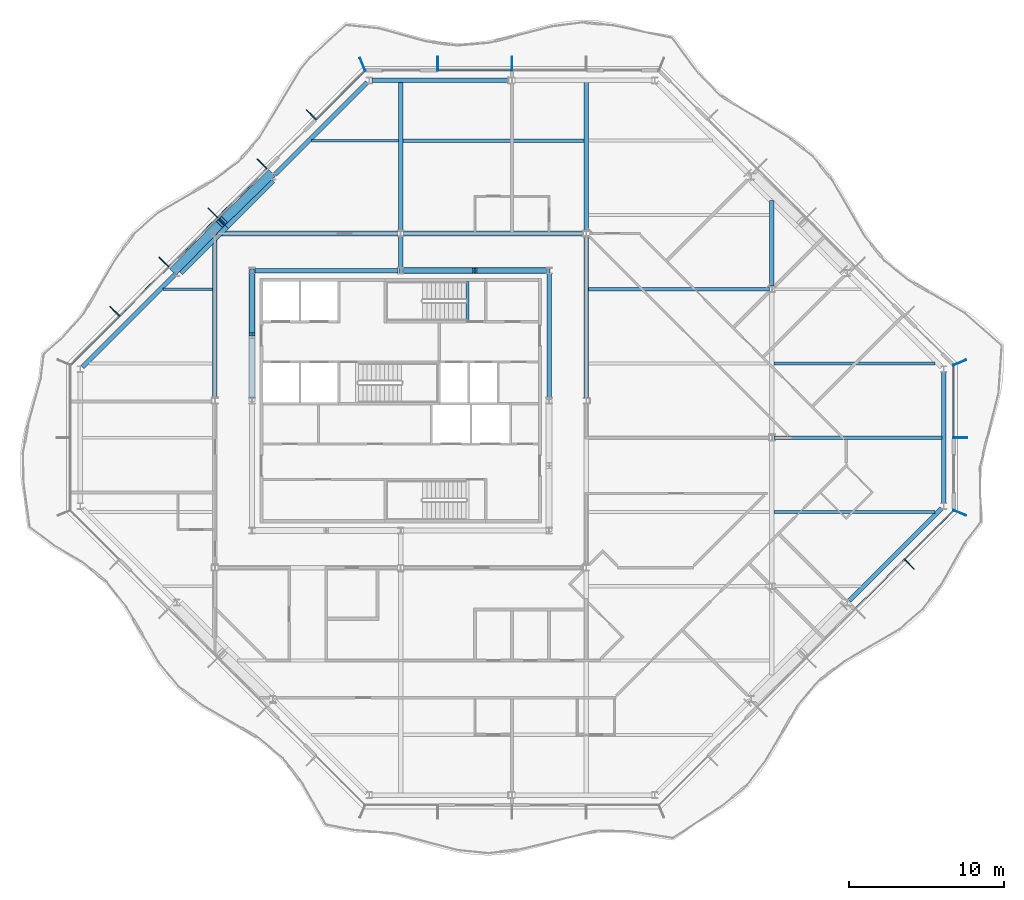
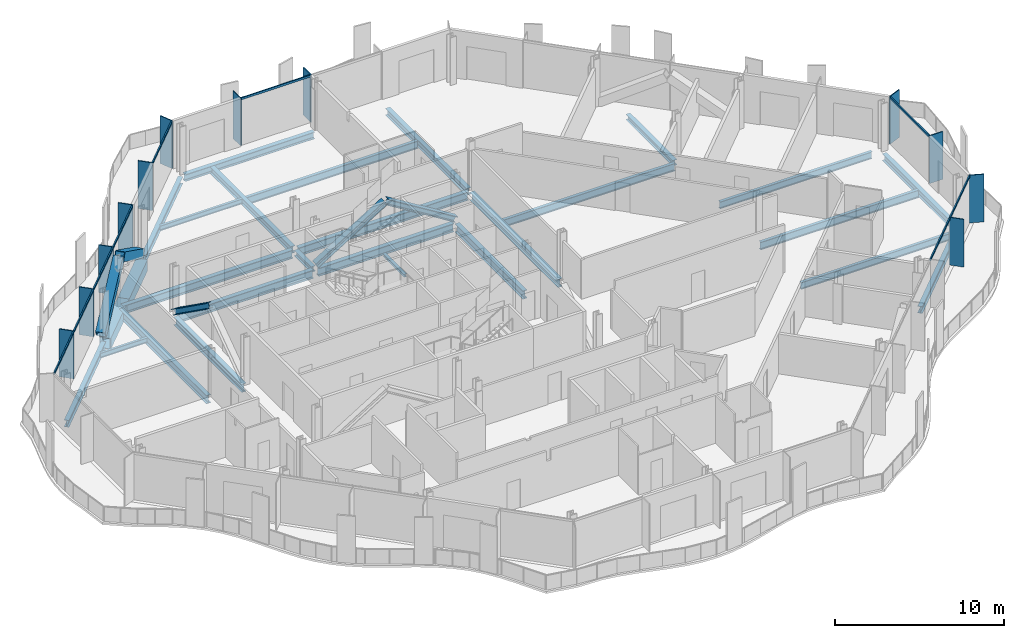
# One storey, part 4 of 17: 27 beams, 26 members, 5 elements without a shape of their own.
"""IFC4 building model written with IfcOpenShell, lengths in metres."""

from ifc_helpers import new_model, si_unit, direction, frame, origin, origin_2d, place, context, subcontext, project, spatial, rectangle, hollow_rectangle, i_section, extrude, material, material_profile, profile_set, type_object, element, aggregate, save


model = new_model("IFC4")

# Units and contexts
model_context = context("Model", 3, precision=1e-05, world=origin(), true_north=direction((0.0, 1.0)))
body_context = subcontext(model_context, "Body", "Model", "MODEL_VIEW")
ifc_project = project(units=[si_unit("LENGTHUNIT", "METRE"), si_unit("AREAUNIT", "SQUARE_METRE"), si_unit("VOLUMEUNIT", "CUBIC_METRE"), si_unit("PLANEANGLEUNIT", "RADIAN"), si_unit("MASSUNIT", "GRAM", prefix="KILO")], contexts=[model_context])

# Site, building, storey
site_placement = place(None, origin())
site = spatial("IfcSite", under=ifc_project, at=site_placement, CompositionType="ELEMENT")
building_placement = place(site_placement, origin())
building = spatial("IfcBuilding", under=site, at=building_placement, Name="Cairn Pilgrim Tower", CompositionType="ELEMENT")
storey_placement = place(building_placement, frame((0.0, 0.0, 214.199951171875)))
storey = spatial("IfcBuildingStorey", under=building, at=storey_placement, Name="L54", CompositionType="ELEMENT", Elevation=214.199951171875)

# Members
ifc_material_1 = material(Name="Structural steel S460M", Category="steel")
ifc_material_profile_1 = material_profile(ifc_material_1, hollow_rectangle(XDim=0.60009765625, YDim=0.60009765625, WallThickness=0.034912109375, at=origin_2d()), Name="BOX 600x600x35")
ifc_profile_set_1 = profile_set([ifc_material_profile_1], Name="Structural steel S460M")
member_type_1 = type_object("IfcMemberType", Name="BOX 600x600x35 BRACE", PredefinedType="BRACE", material=ifc_profile_set_1)
member_1_placement = place(storey_placement, frame((-1.22412109375, 17.00146484375, 0.150146484375), z_axis=(-0.609978743911, -0.59479597279, 0.523587321016), x_axis=(0.698140268834, -0.71596100804, 0.0)))
element("IfcMember", 1, at=member_1_placement, inside=storey, type_object=member_type_1, Name="XB-NW2-NW3-1", PredefinedType="BRACE", context=body_context, shape_type="SweptSolid", body=[
    extrude(hollow_rectangle(XDim=0.60009765625, YDim=0.60009765625, WallThickness=0.034912109375, at=origin_2d()), origin(), (0.0, 0.0, 1.0), 5.032958984375),
])
member_2_placement = place(storey_placement, frame((-7.4013671875, 10.823974609375, 0.150146484375), z_axis=(0.594778373814, 0.610009201523, 0.523571828979), x_axis=(-0.715988756584, 0.698111810848, 0.0)))
element("IfcMember", 2, at=member_2_placement, inside=storey, type_object=member_type_1, Name="XB-NW2-NW3-2", PredefinedType="BRACE", context=body_context, shape_type="SweptSolid", body=[
    extrude(hollow_rectangle(XDim=0.60009765625, YDim=0.60009765625, WallThickness=0.034912109375, at=origin_2d()), origin(), (0.0, 0.0, 1.0), 5.033203125),
])

# Beams
ifc_material_2 = material(Name="Structural steel S355J2", Category="steel")
ifc_material_profile_2 = material_profile(ifc_material_2, hollow_rectangle(XDim=0.699951171875, YDim=0.800048828125, WallThickness=0.0400390625, at=origin_2d()), Name="BOX 700x800x40")
ifc_profile_set_2 = profile_set([ifc_material_profile_2], Name="Structural steel S355J2")
beam_type_1 = type_object("IfcBeamType", Name="BOX 700x800x40 RING GIRDER", PredefinedType="SPANDREL", material=ifc_profile_set_2)
beam_1_placement = place(storey_placement, frame((-1.183837890625, 16.743408203125, -0.550048828125), z_axis=(-0.707106781187, -0.707106781187, 0.0), x_axis=(0.707106781187, -0.707106781187, 0.0)))
element("IfcBeam", 3, at=beam_1_placement, inside=storey, type_object=beam_type_1, Name="RG3-NW2-NW3-1", PredefinedType="SPANDREL", context=body_context, shape_type="SweptSolid", body=[
    extrude(hollow_rectangle(XDim=0.699951171875, YDim=0.800048828125, WallThickness=0.0400390625, at=origin_2d()), origin(), (0.0, 0.0, 1.0), 4.2138671875),
])
beam_2_placement = place(storey_placement, frame((-4.16357421875, 13.763671875, -0.550048828125), z_axis=(-0.707077813866, -0.707135747321, 0.0), x_axis=(0.707135747321, -0.707077813866, 0.0)))
element("IfcBeam", 4, at=beam_2_placement, inside=storey, type_object=beam_type_1, Name="RG3-NW2-NW3-2", PredefinedType="SPANDREL", context=body_context, shape_type="SweptSolid", body=[
    extrude(hollow_rectangle(XDim=0.699951171875, YDim=0.800048828125, WallThickness=0.0400390625, at=origin_2d()), origin(), (0.0, 0.0, 1.0), 4.214111328125),
])

# Curtain wall, member
ifc_material_3 = material(Name="Aluminium alloy 6063-T6 bronze anodised with Bronze tinted laminated low-E glass 8+16+8.8", Category="aluminium")
curtain_wall_type_1 = type_object("IfcCurtainWallType", Name="CHAMFER CORNER CURTAIN WALL", PredefinedType="NOTDEFINED", material=ifc_material_3)
curtain_wall_1_placement = place(storey_placement, origin())
curtain_wall_1 = element("IfcCurtainWall", 5, at=curtain_wall_1_placement, inside=storey, type_object=curtain_wall_type_1, Name="Chamfer Corner Curtain Wall SE", PredefinedType="NOTDEFINED")
ifc_material_4 = material(Name="Aluminium alloy 6063-T6 bronze anodised", Category="aluminium")
ifc_material_profile_3 = material_profile(ifc_material_4, rectangle(XDim=0.89990234375, YDim=0.06005859375, at=origin_2d()), Name="FIN MULLION 60x900 BRONZE")
ifc_profile_set_3 = profile_set([ifc_material_profile_3], Name="Aluminium alloy 6063-T6 bronze anodised")
member_type_2 = type_object("IfcMemberType", Name="FIN MULLION 60x900 BRONZE", PredefinedType="MULLION", material=ifc_profile_set_3)
member_3_placement = place(storey_placement, frame((40.0712890625, -8.1689453125, 0.0), z_axis=(0.0, 0.0, 1.0), x_axis=(0.707106781187, -0.707106781187, 0.0)))
member_3 = element("IfcMember", 6, at=member_3_placement, type_object=member_type_2, Name="Fin mullion SE6", PredefinedType="MULLION", context=body_context, shape_type="SweptSolid", body=[
    extrude(rectangle(XDim=0.89990234375, YDim=0.06005859375, at=origin_2d()), origin(), (0.0, 0.0, 1.0), 3.449951171875),
])

# Curtain wall, members
curtain_wall_type_2 = type_object("IfcCurtainWallType", Name="TOWER STICK CURTAIN WALL EW", PredefinedType="NOTDEFINED", material=ifc_material_3)
curtain_wall_2_placement = place(storey_placement, origin())
curtain_wall_2 = element("IfcCurtainWall", 7, at=curtain_wall_2_placement, inside=storey, type_object=curtain_wall_type_2, Name="Tower Stick Curtain Wall Ew E", PredefinedType="NOTDEFINED")
member_4_placement = place(storey_placement, frame((43.338134765625, -4.857177734375, 0.0), z_axis=(0.0, 0.0, 1.0), x_axis=(0.923879532511, -0.382683432365, 0.0)))
member_4 = element("IfcMember", 8, at=member_4_placement, type_object=member_type_2, Name="Fin mullion E1", PredefinedType="MULLION", context=body_context, shape_type="SweptSolid", body=[
    extrude(rectangle(XDim=0.89990234375, YDim=0.06005859375, at=origin_2d()), origin(), (0.0, 0.0, 1.0), 3.449951171875),
])
member_5_placement = place(storey_placement, frame((43.3701171875, 0.0, 0.0), z_axis=(0.0, 0.0, 1.0), x_axis=(1.0, 0.0, 0.0)))
member_5 = element("IfcMember", 9, at=member_5_placement, type_object=member_type_2, Name="Fin mullion E2", PredefinedType="MULLION", context=body_context, shape_type="SweptSolid", body=[
    extrude(rectangle(XDim=0.89990234375, YDim=0.06005859375, at=origin_2d()), origin(), (0.0, 0.0, 1.0), 3.449951171875),
])

# Curtain wall, member
curtain_wall_3_placement = place(storey_placement, origin())
curtain_wall_3 = element("IfcCurtainWall", 10, at=curtain_wall_3_placement, inside=storey, type_object=curtain_wall_type_1, Name="Chamfer Corner Curtain Wall NE", PredefinedType="NOTDEFINED")
member_6_placement = place(storey_placement, frame((43.338134765625, 4.857177734375, 0.0), z_axis=(0.0, 0.0, 1.0), x_axis=(0.923879532511, 0.382683432365, 0.0)))
member_6 = element("IfcMember", 11, at=member_6_placement, type_object=member_type_2, Name="Fin mullion NE1", PredefinedType="MULLION", context=body_context, shape_type="SweptSolid", body=[
    extrude(rectangle(XDim=0.89990234375, YDim=0.06005859375, at=origin_2d()), origin(), (0.0, 0.0, 1.0), 3.449951171875),
])
aggregate(curtain_wall_3, [member_6])

# Curtain wall, members
curtain_wall_type_3 = type_object("IfcCurtainWallType", Name="TOWER STICK CURTAIN WALL NS", PredefinedType="NOTDEFINED", material=ifc_material_3)
curtain_wall_4_placement = place(storey_placement, origin())
curtain_wall_4 = element("IfcCurtainWall", 12, at=curtain_wall_4_placement, inside=storey, type_object=curtain_wall_type_3, Name="Tower Stick Curtain Wall Ns N", PredefinedType="NOTDEFINED")
member_7_placement = place(storey_placement, frame((14.39990234375, 24.169921875, 0.0), z_axis=(0.0, 0.0, 1.0), x_axis=(0.0, 1.0, 0.0)))
member_7 = element("IfcMember", 13, at=member_7_placement, type_object=member_type_2, Name="Fin mullion N3", PredefinedType="MULLION", context=body_context, shape_type="SweptSolid", body=[
    extrude(rectangle(XDim=0.89990234375, YDim=0.06005859375, at=origin_2d()), origin(), (0.0, 0.0, 1.0), 3.449951171875),
])
member_8_placement = place(storey_placement, frame((9.60009765625, 24.169921875, 0.0), z_axis=(0.0, 0.0, 1.0), x_axis=(0.0, 1.0, 0.0)))
member_8 = element("IfcMember", 14, at=member_8_placement, type_object=member_type_2, Name="Fin mullion N4", PredefinedType="MULLION", context=body_context, shape_type="SweptSolid", body=[
    extrude(rectangle(XDim=0.89990234375, YDim=0.06005859375, at=origin_2d()), origin(), (0.0, 0.0, 1.0), 3.449951171875),
])

curtain_wall_5_placement = place(storey_placement, origin())
curtain_wall_5 = element("IfcCurtainWall", 15, at=curtain_wall_5_placement, inside=storey, type_object=curtain_wall_type_1, Name="Chamfer Corner Curtain Wall NW", PredefinedType="NOTDEFINED")
member_9_placement = place(storey_placement, frame((4.742919921875, 24.137939453125, 0.0), z_axis=(0.0, 0.0, 1.0), x_axis=(-0.382683432365, 0.923879532511, 0.0)))
member_9 = element("IfcMember", 16, at=member_9_placement, type_object=member_type_2, Name="Fin mullion NW1", PredefinedType="MULLION", context=body_context, shape_type="SweptSolid", body=[
    extrude(rectangle(XDim=0.89990234375, YDim=0.06005859375, at=origin_2d()), origin(), (0.0, 0.0, 1.0), 3.449951171875),
])
member_10_placement = place(storey_placement, frame((1.430908203125, 20.871337890625, 0.0), z_axis=(0.0, 0.0, 1.0), x_axis=(-0.707106781187, 0.707106781187, 0.0)))
member_10 = element("IfcMember", 17, at=member_10_placement, type_object=member_type_2, Name="Fin mullion NW2", PredefinedType="MULLION", context=body_context, shape_type="SweptSolid", body=[
    extrude(rectangle(XDim=0.89990234375, YDim=0.06005859375, at=origin_2d()), origin(), (0.0, 0.0, 1.0), 3.449951171875),
])
member_11_placement = place(storey_placement, frame((-1.74462890625, 17.69580078125, 0.0), z_axis=(0.0, 0.0, 1.0), x_axis=(-0.707106781187, 0.707106781187, 0.0)))
member_11 = element("IfcMember", 18, at=member_11_placement, type_object=member_type_2, Name="Fin mullion NW3", PredefinedType="MULLION", context=body_context, shape_type="SweptSolid", body=[
    extrude(rectangle(XDim=0.89990234375, YDim=0.06005859375, at=origin_2d()), origin(), (0.0, 0.0, 1.0), 3.449951171875),
])
member_12_placement = place(storey_placement, frame((-4.920166015625, 14.520263671875, 0.0), z_axis=(0.0, 0.0, 1.0), x_axis=(-0.707106781187, 0.707106781187, 0.0)))
member_12 = element("IfcMember", 19, at=member_12_placement, type_object=member_type_2, Name="Fin mullion NW4", PredefinedType="MULLION", context=body_context, shape_type="SweptSolid", body=[
    extrude(rectangle(XDim=0.89990234375, YDim=0.06005859375, at=origin_2d()), origin(), (0.0, 0.0, 1.0), 3.449951171875),
])
member_13_placement = place(storey_placement, frame((-8.095703125, 11.3447265625, 0.0), z_axis=(0.0, 0.0, 1.0), x_axis=(-0.707106781187, 0.707106781187, 0.0)))
member_13 = element("IfcMember", 20, at=member_13_placement, type_object=member_type_2, Name="Fin mullion NW5", PredefinedType="MULLION", context=body_context, shape_type="SweptSolid", body=[
    extrude(rectangle(XDim=0.89990234375, YDim=0.06005859375, at=origin_2d()), origin(), (0.0, 0.0, 1.0), 3.449951171875),
])
member_14_placement = place(storey_placement, frame((-11.271484375, 8.1689453125, 0.0), z_axis=(0.0, 0.0, 1.0), x_axis=(-0.707106781187, 0.707106781187, 0.0)))
member_14 = element("IfcMember", 21, at=member_14_placement, type_object=member_type_2, Name="Fin mullion NW6", PredefinedType="MULLION", context=body_context, shape_type="SweptSolid", body=[
    extrude(rectangle(XDim=0.89990234375, YDim=0.06005859375, at=origin_2d()), origin(), (0.0, 0.0, 1.0), 3.449951171875),
])

# Members
ifc_material_profile_4 = material_profile(ifc_material_2, i_section(OverallWidth=0.39794921875, OverallDepth=0.386962890625, WebThickness=0.02099609375, FlangeThickness=0.033203125, FilletRadius=0.014892578125, at=origin_2d()), Name="HD 400x262")
ifc_profile_set_4 = profile_set([ifc_material_profile_4], Name="Structural steel S355J2")
member_type_3 = type_object("IfcMemberType", Name="HD 400x262 BRACE", PredefinedType="BRACE", material=ifc_profile_set_4)
for number, where, z_axis, x_axis, name in (
    (22, (16.759521484375, 10.800048828125, 0.10009765625), (-0.851180404412, 0.0, 0.524873241025), (0.0, -1.0, 0.0), "KB-3A"),
    (23, (7.240478515625, 10.800048828125, 0.10009765625), (0.851180404412, 0.0, 0.524873241025), (0.0, 1.0, 0.0), "KB-3B"),
):
    element("IfcMember", number, at=place(storey_placement, frame(where, z_axis=z_axis, x_axis=x_axis)), inside=storey, type_object=member_type_3, Name=name, PredefinedType="BRACE", context=body_context, shape_type="SweptSolid", body=[
        extrude(i_section(OverallWidth=0.39794921875, OverallDepth=0.386962890625, WebThickness=0.02099609375, FlangeThickness=0.033203125, FilletRadius=0.014892578125, at=origin_2d()), origin(), (0.0, 0.0, 1.0), 5.529052734375),
    ])
member_15_placement = place(storey_placement, frame((-2.39990234375, 10.759521484375, 0.10009765625), z_axis=(0.0, -0.814412678688, 0.580286126659), x_axis=(1.0, 0.0, 0.0)))
element("IfcMember", 24, at=member_15_placement, inside=storey, type_object=member_type_3, Name="KB-4A", PredefinedType="BRACE", context=body_context, shape_type="SweptSolid", body=[
    extrude(i_section(OverallWidth=0.39794921875, OverallDepth=0.386962890625, WebThickness=0.02099609375, FlangeThickness=0.033203125, FilletRadius=0.014892578125, at=origin_2d()), origin(), (0.0, 0.0, 1.0), 4.9990234375),
])

# Beams
ifc_material_profile_5 = material_profile(ifc_material_2, i_section(OverallWidth=0.300048828125, OverallDepth=0.39990234375, WebThickness=0.013427734375, FlangeThickness=0.02392578125, FilletRadius=0.027099609375, at=origin_2d()), Name="HEB 400")
ifc_profile_set_5 = profile_set([ifc_material_profile_5], Name="Structural steel S355J2")
beam_type_2 = type_object("IfcBeamType", Name="HEB 400 GIRDER", PredefinedType="BEAM", material=ifc_profile_set_5)
beam_3_placement = place(storey_placement, frame((7.199951171875, 11.001953125, -0.349853515625), z_axis=(0.0, 1.0, 0.0), x_axis=(-1.0, 0.0, 0.0)))
element("IfcBeam", 25, at=beam_3_placement, inside=storey, type_object=beam_type_2, Name="PG3-E2", PredefinedType="BEAM", context=body_context, shape_type="SweptSolid", body=[
    extrude(i_section(OverallWidth=0.300048828125, OverallDepth=0.39990234375, WebThickness=0.013427734375, FlangeThickness=0.02392578125, FilletRadius=0.027099609375, at=origin_2d()), origin(), (0.0, 0.0, 1.0), 1.99853515625),
])
beam_4_placement = place(storey_placement, frame((31.199951171875, 9.799560546875, -0.349853515625), z_axis=(0.0, 1.0, 0.0), x_axis=(-1.0, 0.0, 0.0)))
element("IfcBeam", 26, at=beam_4_placement, inside=storey, type_object=beam_type_2, Name="PG5-4", PredefinedType="BEAM", context=body_context, shape_type="SweptSolid", body=[
    extrude(i_section(OverallWidth=0.300048828125, OverallDepth=0.39990234375, WebThickness=0.013427734375, FlangeThickness=0.02392578125, FilletRadius=0.027099609375, at=origin_2d()), origin(), (0.0, 0.0, 1.0), 5.545654296875),
])
ifc_material_profile_6 = material_profile(ifc_material_2, i_section(OverallWidth=0.300048828125, OverallDepth=0.5, WebThickness=0.014404296875, FlangeThickness=0.028076171875, FilletRadius=0.027099609375, at=origin_2d()), Name="HEB 500")
ifc_profile_set_6 = profile_set([ifc_material_profile_6], Name="Structural steel S355J2")
beam_type_3 = type_object("IfcBeamType", Name="HEB 500 GIRDER", PredefinedType="BEAM", material=ifc_profile_set_6)
for number, where, z_axis, x_axis, name in (
    (27, (7.199951171875, 13.3994140625, -0.39990234375), (0.0, 1.0, 0.0), (-1.0, 0.0, 0.0), "PG3-2"),
    (28, (19.199951171875, 13.3994140625, -0.39990234375), (0.0, 1.0, 0.0), (-1.0, 0.0, 0.0), "PG4-4"),
):
    element("IfcBeam", number, at=place(storey_placement, frame(where, z_axis=z_axis, x_axis=x_axis)), inside=storey, type_object=beam_type_3, Name=name, PredefinedType="BEAM", context=body_context, shape_type="SweptSolid", body=[
        extrude(i_section(OverallWidth=0.300048828125, OverallDepth=0.5, WebThickness=0.014404296875, FlangeThickness=0.028076171875, FilletRadius=0.027099609375, at=origin_2d()), origin(), (0.0, 0.0, 1.0), 9.58056640625),
    ])
ifc_material_profile_7 = material_profile(ifc_material_2, i_section(OverallWidth=0.300048828125, OverallDepth=0.5, WebThickness=0.014404296875, FlangeThickness=0.028076171875, FilletRadius=0.027099609375, at=origin_2d()), Name="HEB 500")
ifc_profile_set_7 = profile_set([ifc_material_profile_7], Name="Structural steel S355J2")
beam_type_4 = type_object("IfcBeamType", Name="HEB 500 RING GIRDER", PredefinedType="SPANDREL", material=ifc_profile_set_7)
beam_5_placement = place(storey_placement, frame((36.2080078125, -10.51904296875, -0.39990234375), z_axis=(0.707106781187, 0.707106781187, 0.0), x_axis=(-0.707106781187, 0.707106781187, 0.0)))
element("IfcBeam", 29, at=beam_5_placement, inside=storey, type_object=beam_type_4, Name="RG3-SE3-E1", PredefinedType="SPANDREL", context=body_context, shape_type="SweptSolid", body=[
    extrude(i_section(OverallWidth=0.300048828125, OverallDepth=0.5, WebThickness=0.014404296875, FlangeThickness=0.028076171875, FilletRadius=0.027099609375, at=origin_2d()), origin(), (0.0, 0.0, 1.0), 8.427978515625),
])
beam_6_placement = place(storey_placement, frame((42.300048828125, -4.239990234375, -0.39990234375), z_axis=(0.0, 1.0, 0.0), x_axis=(-1.0, 0.0, 0.0)))
element("IfcBeam", 30, at=beam_6_placement, inside=storey, type_object=beam_type_4, Name="RG3-E1-NE1", PredefinedType="SPANDREL", context=body_context, shape_type="SweptSolid", body=[
    extrude(i_section(OverallWidth=0.300048828125, OverallDepth=0.5, WebThickness=0.014404296875, FlangeThickness=0.028076171875, FilletRadius=0.027099609375, at=origin_2d()), origin(), (0.0, 0.0, 1.0), 8.47998046875),
])
beam_7_placement = place(storey_placement, frame((14.212890625, 23.10009765625, -0.39990234375), z_axis=(-1.0, 0.0, 0.0), x_axis=(0.0, -1.0, 0.0)))
element("IfcBeam", 31, at=beam_7_placement, inside=storey, type_object=beam_type_4, Name="RG3-N2-NW1", PredefinedType="SPANDREL", context=body_context, shape_type="SweptSolid", body=[
    extrude(i_section(OverallWidth=0.300048828125, OverallDepth=0.5, WebThickness=0.014404296875, FlangeThickness=0.028076171875, FilletRadius=0.027099609375, at=origin_2d()), origin(), (0.0, 0.0, 1.0), 8.852783203125),
])
for number, where, z_axis, x_axis, name in (
    (32, (5.040283203125, 22.967529296875, -0.39990234375), (-0.707106781187, -0.707106781187, 0.0), (0.707106781187, -0.707106781187, 0.0), "RG3-NW1-NW2"),
    (33, (-7.408203125, 10.51904296875, -0.39990234375), (-0.707106781187, -0.707106781187, 0.0), (0.707106781187, -0.707106781187, 0.0), "RG3-NW3-W1"),
):
    element("IfcBeam", number, at=place(storey_placement, frame(where, z_axis=z_axis, x_axis=x_axis)), inside=storey, type_object=beam_type_4, Name=name, PredefinedType="SPANDREL", context=body_context, shape_type="SweptSolid", body=[
        extrude(i_section(OverallWidth=0.300048828125, OverallDepth=0.5, WebThickness=0.014404296875, FlangeThickness=0.028076171875, FilletRadius=0.027099609375, at=origin_2d()), origin(), (0.0, 0.0, 1.0), 8.427978515625),
    ])
ifc_material_profile_8 = material_profile(ifc_material_2, i_section(OverallWidth=0.300048828125, OverallDepth=0.60009765625, WebThickness=0.015380859375, FlangeThickness=0.030029296875, FilletRadius=0.027099609375, at=origin_2d()), Name="HEB 600")
ifc_profile_set_8 = profile_set([ifc_material_profile_8], Name="Structural steel S355J2")
beam_type_5 = type_object("IfcBeamType", Name="HEB 600 CORE BEAM", PredefinedType="BEAM", material=ifc_profile_set_8)
beam_8_placement = place(storey_placement, frame((16.800048828125, 2.581787109375, -0.449951171875), z_axis=(0.0, 1.0, 0.0), x_axis=(-1.0, 0.0, 0.0)))
element("IfcBeam", 34, at=beam_8_placement, inside=storey, type_object=beam_type_5, Name="CB-4", PredefinedType="BEAM", context=body_context, shape_type="SweptSolid", body=[
    extrude(i_section(OverallWidth=0.300048828125, OverallDepth=0.60009765625, WebThickness=0.015380859375, FlangeThickness=0.030029296875, FilletRadius=0.027099609375, at=origin_2d()), origin(), (0.0, 0.0, 1.0), 8.036376953125),
])
beam_9_placement = place(storey_placement, frame((16.6181640625, 10.800048828125, -0.449951171875), z_axis=(-1.0, 0.0, 0.0), x_axis=(0.0, -1.0, 0.0)))
element("IfcBeam", 35, at=beam_9_placement, inside=storey, type_object=beam_type_5, Name="CB-5", PredefinedType="BEAM", context=body_context, shape_type="SweptSolid", body=[
    extrude(i_section(OverallWidth=0.300048828125, OverallDepth=0.60009765625, WebThickness=0.015380859375, FlangeThickness=0.030029296875, FilletRadius=0.027099609375, at=origin_2d()), origin(), (0.0, 0.0, 1.0), 9.236328125),
])
beam_10_placement = place(storey_placement, frame((7.018310546875, 10.800048828125, -0.449951171875), z_axis=(-1.0, 0.0, 0.0), x_axis=(0.0, -1.0, 0.0)))
element("IfcBeam", 36, at=beam_10_placement, inside=storey, type_object=beam_type_5, Name="CB-6", PredefinedType="BEAM", context=body_context, shape_type="SweptSolid", body=[
    extrude(i_section(OverallWidth=0.300048828125, OverallDepth=0.60009765625, WebThickness=0.015380859375, FlangeThickness=0.030029296875, FilletRadius=0.027099609375, at=origin_2d()), origin(), (0.0, 0.0, 1.0), 9.236572265625),
])
beam_11_placement = place(storey_placement, frame((-2.39990234375, 10.6181640625, -0.449951171875), z_axis=(0.0, -1.0, 0.0), x_axis=(1.0, 0.0, 0.0)))
element("IfcBeam", 37, at=beam_11_placement, inside=storey, type_object=beam_type_5, Name="CB-7", PredefinedType="BEAM", context=body_context, shape_type="SweptSolid", body=[
    extrude(i_section(OverallWidth=0.300048828125, OverallDepth=0.60009765625, WebThickness=0.015380859375, FlangeThickness=0.030029296875, FilletRadius=0.027099609375, at=origin_2d()), origin(), (0.0, 0.0, 1.0), 8.036376953125),
])
ifc_material_profile_9 = material_profile(ifc_material_2, i_section(OverallWidth=0.300048828125, OverallDepth=0.60009765625, WebThickness=0.015380859375, FlangeThickness=0.030029296875, FilletRadius=0.027099609375, at=origin_2d()), Name="HEB 600")
ifc_profile_set_9 = profile_set([ifc_material_profile_9], Name="Structural steel S355J2")
beam_type_6 = type_object("IfcBeamType", Name="HEB 600 GIRDER", PredefinedType="BEAM", material=ifc_profile_set_9)
beam_12_placement = place(storey_placement, frame((-4.800048828125, 2.599609375, -0.449951171875), z_axis=(0.0, 1.0, 0.0), x_axis=(-1.0, 0.0, 0.0)))
element("IfcBeam", 38, at=beam_12_placement, inside=storey, type_object=beam_type_6, Name="PG2-3", PredefinedType="BEAM", context=body_context, shape_type="SweptSolid", body=[
    extrude(i_section(OverallWidth=0.300048828125, OverallDepth=0.60009765625, WebThickness=0.015380859375, FlangeThickness=0.030029296875, FilletRadius=0.027099609375, at=origin_2d()), origin(), (0.0, 0.0, 1.0), 10.345458984375),
])
beam_13_placement = place(storey_placement, frame((19.199951171875, 2.599609375, -0.449951171875), z_axis=(0.0, 1.0, 0.0), x_axis=(-1.0, 0.0, 0.0)))
element("IfcBeam", 39, at=beam_13_placement, inside=storey, type_object=beam_type_6, Name="PG4-3", PredefinedType="BEAM", context=body_context, shape_type="SweptSolid", body=[
    extrude(i_section(OverallWidth=0.300048828125, OverallDepth=0.60009765625, WebThickness=0.015380859375, FlangeThickness=0.030029296875, FilletRadius=0.027099609375, at=origin_2d()), origin(), (0.0, 0.0, 1.0), 10.40087890625),
])
ifc_material_profile_10 = material_profile(ifc_material_2, i_section(OverallWidth=0.300048828125, OverallDepth=0.60009765625, WebThickness=0.015380859375, FlangeThickness=0.030029296875, FilletRadius=0.027099609375, at=origin_2d()), Name="HEB 600")
ifc_profile_set_10 = profile_set([ifc_material_profile_10], Name="Structural steel S355J2")
beam_type_7 = type_object("IfcBeamType", Name="HEB 600 INNER GIRDER", PredefinedType="BEAM", material=ifc_profile_set_10)
for number, where, z_axis, x_axis, name in (
    (40, (-4.6005859375, 13.199951171875, -0.449951171875), (1.0, 0.0, 0.0), (0.0, 1.0, 0.0), "IG2-1"),
    (41, (7.3994140625, 13.199951171875, -0.449951171875), (1.0, 0.0, 0.0), (0.0, 1.0, 0.0), "IG2-2"),
):
    element("IfcBeam", number, at=place(storey_placement, frame(where, z_axis=z_axis, x_axis=x_axis)), inside=storey, type_object=beam_type_7, Name=name, PredefinedType="BEAM", context=body_context, shape_type="SweptSolid", body=[
        extrude(i_section(OverallWidth=0.300048828125, OverallDepth=0.60009765625, WebThickness=0.015380859375, FlangeThickness=0.030029296875, FilletRadius=0.027099609375, at=origin_2d()), origin(), (0.0, 0.0, 1.0), 11.60107421875),
    ])
ifc_material_profile_11 = material_profile(ifc_material_2, i_section(OverallWidth=0.169921875, OverallDepth=0.360107421875, WebThickness=0.008056640625, FlangeThickness=0.0126953125, FilletRadius=0.01806640625, at=origin_2d()), Name="IPE 360")
ifc_profile_set_11 = profile_set([ifc_material_profile_11], Name="Structural steel S355J2")
beam_type_8 = type_object("IfcBeamType", Name="IPE 360 SECONDARY BEAM", PredefinedType="JOIST", material=ifc_profile_set_11)
beam_14_placement = place(storey_placement, frame((-8.14501953125, 9.60009765625, -0.329833984375), z_axis=(1.0, 0.0, 0.0), x_axis=(0.0, 1.0, 0.0)))
element("IfcBeam", 42, at=beam_14_placement, inside=storey, type_object=beam_type_8, Name="SB7-1", PredefinedType="JOIST", context=body_context, shape_type="SweptSolid", body=[
    extrude(i_section(OverallWidth=0.169921875, OverallDepth=0.360107421875, WebThickness=0.008056640625, FlangeThickness=0.0126953125, FilletRadius=0.01806640625, at=origin_2d()), origin(), (0.0, 0.0, 1.0), 3.195068359375),
])
beam_15_placement = place(storey_placement, frame((1.454833984375, 19.199951171875, -0.329833984375), z_axis=(1.0, 0.0, 0.0), x_axis=(0.0, 1.0, 0.0)))
element("IfcBeam", 43, at=beam_15_placement, inside=storey, type_object=beam_type_8, Name="SB9-1", PredefinedType="JOIST", context=body_context, shape_type="SweptSolid", body=[
    extrude(i_section(OverallWidth=0.169921875, OverallDepth=0.360107421875, WebThickness=0.008056640625, FlangeThickness=0.0126953125, FilletRadius=0.01806640625, at=origin_2d()), origin(), (0.0, 0.0, 1.0), 5.59521484375),
])
ifc_material_profile_12 = material_profile(ifc_material_2, i_section(OverallWidth=0.199951171875, OverallDepth=0.5, WebThickness=0.01025390625, FlangeThickness=0.01611328125, FilletRadius=0.02099609375, at=origin_2d()), Name="IPE 500")
ifc_profile_set_12 = profile_set([ifc_material_profile_12], Name="Structural steel S355J2")
beam_type_9 = type_object("IfcBeamType", Name="IPE 500 SECONDARY BEAM", PredefinedType="JOIST", material=ifc_profile_set_12)
for number, where, z_axis, x_axis, name in (
    (44, (31.35009765625, -4.800048828125, -0.39990234375), (1.0, 0.0, 0.0), (0.0, 1.0, 0.0), "SB4-3"),
    (45, (31.35009765625, 4.800048828125, -0.39990234375), (1.0, 0.0, 0.0), (0.0, 1.0, 0.0), "SB6-3"),
):
    element("IfcBeam", number, at=place(storey_placement, frame(where, z_axis=z_axis, x_axis=x_axis)), inside=storey, type_object=beam_type_9, Name=name, PredefinedType="JOIST", context=body_context, shape_type="SweptSolid", body=[
        extrude(i_section(OverallWidth=0.199951171875, OverallDepth=0.5, WebThickness=0.01025390625, FlangeThickness=0.01611328125, FilletRadius=0.02099609375, at=origin_2d()), origin(), (0.0, 0.0, 1.0), 10.39501953125),
    ])
ifc_material_profile_13 = material_profile(ifc_material_2, i_section(OverallWidth=0.2099609375, OverallDepth=0.550048828125, WebThickness=0.010986328125, FlangeThickness=0.01708984375, FilletRadius=0.02392578125, at=origin_2d()), Name="IPE 550")
ifc_profile_set_13 = profile_set([ifc_material_profile_13], Name="Structural steel S355J2")
beam_type_10 = type_object("IfcBeamType", Name="IPE 550 SECONDARY BEAM", PredefinedType="JOIST", material=ifc_profile_set_13)
beam_16_placement = place(storey_placement, frame((31.35009765625, 0.0, -0.425048828125), z_axis=(1.0, 0.0, 0.0), x_axis=(0.0, 1.0, 0.0)))
element("IfcBeam", 46, at=beam_16_placement, inside=storey, type_object=beam_type_10, Name="SB5-3", PredefinedType="JOIST", context=body_context, shape_type="SweptSolid", body=[
    extrude(i_section(OverallWidth=0.2099609375, OverallDepth=0.550048828125, WebThickness=0.010986328125, FlangeThickness=0.01708984375, FilletRadius=0.02392578125, at=origin_2d()), origin(), (0.0, 0.0, 1.0), 10.829833984375),
])
for number, where, z_axis, x_axis, name in (
    (47, (19.35009765625, 9.60009765625, -0.425048828125), (1.0, 0.0, 0.0), (0.0, 1.0, 0.0), "SB7-2"),
    (48, (7.35009765625, 19.199951171875, -0.425048828125), (1.0, 0.0, 0.0), (0.0, 1.0, 0.0), "SB9-2"),
):
    element("IfcBeam", number, at=place(storey_placement, frame(where, z_axis=z_axis, x_axis=x_axis)), inside=storey, type_object=beam_type_10, Name=name, PredefinedType="JOIST", context=body_context, shape_type="SweptSolid", body=[
        extrude(i_section(OverallWidth=0.2099609375, OverallDepth=0.550048828125, WebThickness=0.010986328125, FlangeThickness=0.01708984375, FilletRadius=0.02392578125, at=origin_2d()), origin(), (0.0, 0.0, 1.0), 11.699951171875),
    ])
ifc_material_profile_14 = material_profile(ifc_material_2, i_section(OverallWidth=0.199951171875, OverallDepth=0.199951171875, WebThickness=0.009033203125, FlangeThickness=0.014892578125, FilletRadius=0.01806640625, at=origin_2d()), Name="HE 200 B")
ifc_profile_set_14 = profile_set([ifc_material_profile_14], Name="Structural steel S355J2")
beam_type_11 = type_object("IfcBeamType", Name="STAIR LANDING BEAM HE 200 B", PredefinedType="BEAM", material=ifc_profile_set_14)
beam_17_placement = place(storey_placement, frame((11.5244140625, 10.10009765625, -0.25), z_axis=(0.0, -1.0, 0.0), x_axis=(1.0, 0.0, 0.0)))
element("IfcBeam", 49, at=beam_17_placement, inside=storey, type_object=beam_type_11, Name="STAIR LANDING BEAM LD-HE200B", PredefinedType="BEAM", context=body_context, shape_type="SweptSolid", body=[
    extrude(i_section(OverallWidth=0.199951171875, OverallDepth=0.199951171875, WebThickness=0.009033203125, FlangeThickness=0.014892578125, FilletRadius=0.01806640625, at=origin_2d()), origin(), (0.0, 0.0, 1.0), 2.525146484375),
])

# Member
ifc_material_profile_15 = material_profile(ifc_material_4, rectangle(XDim=0.080078125, YDim=0.14990234375, at=origin_2d()), Name="TRANSOM 80x150 BRONZE")
ifc_profile_set_15 = profile_set([ifc_material_profile_15], Name="Aluminium alloy 6063-T6 bronze anodised")
member_type_4 = type_object("IfcMemberType", Name="TRANSOM 80x150 BRONZE", PredefinedType="USERDEFINED", material=ifc_profile_set_15)
member_16_placement = place(storey_placement, frame((36.6201171875, -11.0263671875, 3.375), z_axis=(0.707106781187, 0.707106781187, 0.0), x_axis=(-0.707106781187, 0.707106781187, 0.0)))
member_16 = element("IfcMember", 50, at=member_16_placement, type_object=member_type_4, Name="Transom SE5", ObjectType="TRANSOM", PredefinedType="USERDEFINED", context=body_context, shape_type="SweptSolid", body=[
    extrude(rectangle(XDim=0.080078125, YDim=0.14990234375, at=origin_2d()), origin(), (0.0, 0.0, 1.0), 4.430908203125),
])

member_17_placement = place(storey_placement, frame((39.795654296875, -7.850830078125, 3.375), z_axis=(0.707079168996, 0.707134392299, 0.0), x_axis=(-0.707134392299, 0.707079168996, 0.0)))
member_17 = element("IfcMember", 51, at=member_17_placement, type_object=member_type_4, Name="Transom SE6", ObjectType="TRANSOM", PredefinedType="USERDEFINED", context=body_context, shape_type="SweptSolid", body=[
    extrude(rectangle(XDim=0.080078125, YDim=0.14990234375, at=origin_2d()), origin(), (0.0, 0.0, 1.0), 4.4208984375),
])

aggregate(curtain_wall_1, [member_3, member_16, member_17])

member_18_placement = place(storey_placement, frame((42.949951171875, 0.030029296875, 3.375), z_axis=(0.0, 1.0, 0.0), x_axis=(-1.0, 0.0, 0.0)))
member_18 = element("IfcMember", 52, at=member_18_placement, type_object=member_type_4, Name="Transom E2", ObjectType="TRANSOM", PredefinedType="USERDEFINED", context=body_context, shape_type="SweptSolid", body=[
    extrude(rectangle(XDim=0.080078125, YDim=0.14990234375, at=origin_2d()), origin(), (0.0, 0.0, 1.0), 4.62646484375),
])

aggregate(curtain_wall_2, [member_4, member_5, member_18])

member_19_placement = place(storey_placement, frame((14.3701171875, 23.75, 3.375), z_axis=(-1.0, 0.0, 0.0), x_axis=(0.0, -1.0, 0.0)))
member_19 = element("IfcMember", 53, at=member_19_placement, type_object=member_type_4, Name="Transom N3", ObjectType="TRANSOM", PredefinedType="USERDEFINED", context=body_context, shape_type="SweptSolid", body=[
    extrude(rectangle(XDim=0.080078125, YDim=0.14990234375, at=origin_2d()), origin(), (0.0, 0.0, 1.0), 4.740234375),
])

aggregate(curtain_wall_4, [member_7, member_8, member_19])

member_20_placement = place(storey_placement, frame((4.875244140625, 23.7216796875, 3.375), z_axis=(-0.707106781187, -0.707106781187, 0.0), x_axis=(0.707106781187, -0.707106781187, 0.0)))
member_20 = element("IfcMember", 54, at=member_20_placement, type_object=member_type_4, Name="Transom NW1", ObjectType="TRANSOM", PredefinedType="USERDEFINED", context=body_context, shape_type="SweptSolid", body=[
    extrude(rectangle(XDim=0.080078125, YDim=0.14990234375, at=origin_2d()), origin(), (0.0, 0.0, 1.0), 4.4208984375),
])

member_21_placement = place(storey_placement, frame((-1.46875, 17.377685546875, 3.375), z_axis=(-0.707106781187, -0.707106781187, 0.0), x_axis=(0.707106781187, -0.707106781187, 0.0)))
member_21 = element("IfcMember", 55, at=member_21_placement, type_object=member_type_4, Name="Transom NW3", ObjectType="TRANSOM", PredefinedType="USERDEFINED", context=body_context, shape_type="SweptSolid", body=[
    extrude(rectangle(XDim=0.080078125, YDim=0.14990234375, at=origin_2d()), origin(), (0.0, 0.0, 1.0), 4.43115234375),
])

member_22_placement = place(storey_placement, frame((-4.64453125, 14.201904296875, 3.375), z_axis=(-0.707106781187, -0.707106781187, 0.0), x_axis=(0.707106781187, -0.707106781187, 0.0)))
member_22 = element("IfcMember", 56, at=member_22_placement, type_object=member_type_4, Name="Transom NW4", ObjectType="TRANSOM", PredefinedType="USERDEFINED", context=body_context, shape_type="SweptSolid", body=[
    extrude(rectangle(XDim=0.080078125, YDim=0.14990234375, at=origin_2d()), origin(), (0.0, 0.0, 1.0), 4.430908203125),
])

member_23_placement = place(storey_placement, frame((-7.820068359375, 11.0263671875, 3.375), z_axis=(-0.707106781187, -0.707106781187, 0.0), x_axis=(0.707106781187, -0.707106781187, 0.0)))
member_23 = element("IfcMember", 57, at=member_23_placement, type_object=member_type_4, Name="Transom NW5", ObjectType="TRANSOM", PredefinedType="USERDEFINED", context=body_context, shape_type="SweptSolid", body=[
    extrude(rectangle(XDim=0.080078125, YDim=0.14990234375, at=origin_2d()), origin(), (0.0, 0.0, 1.0), 4.430908203125),
])

member_24_placement = place(storey_placement, frame((-10.99560546875, 7.850830078125, 3.375), z_axis=(-0.707106781187, -0.707106781187, 0.0), x_axis=(0.707106781187, -0.707106781187, 0.0)))
member_24 = element("IfcMember", 58, at=member_24_placement, type_object=member_type_4, Name="Transom NW6", ObjectType="TRANSOM", PredefinedType="USERDEFINED", context=body_context, shape_type="SweptSolid", body=[
    extrude(rectangle(XDim=0.080078125, YDim=0.14990234375, at=origin_2d()), origin(), (0.0, 0.0, 1.0), 4.421142578125),
])

aggregate(curtain_wall_5, [member_9, member_10, member_11, member_12, member_13, member_14, member_20, member_21, member_22, member_23, member_24])

save(model, "model.ifc")
